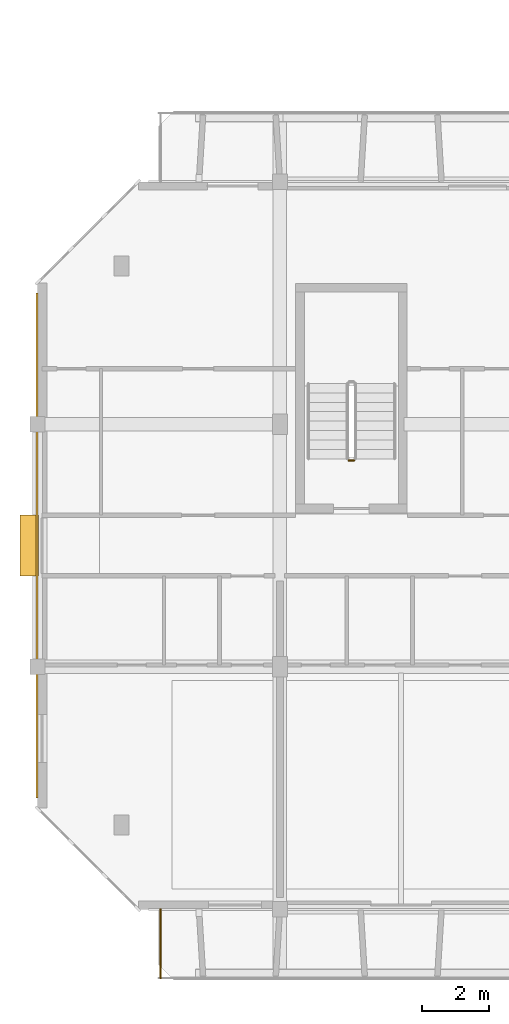
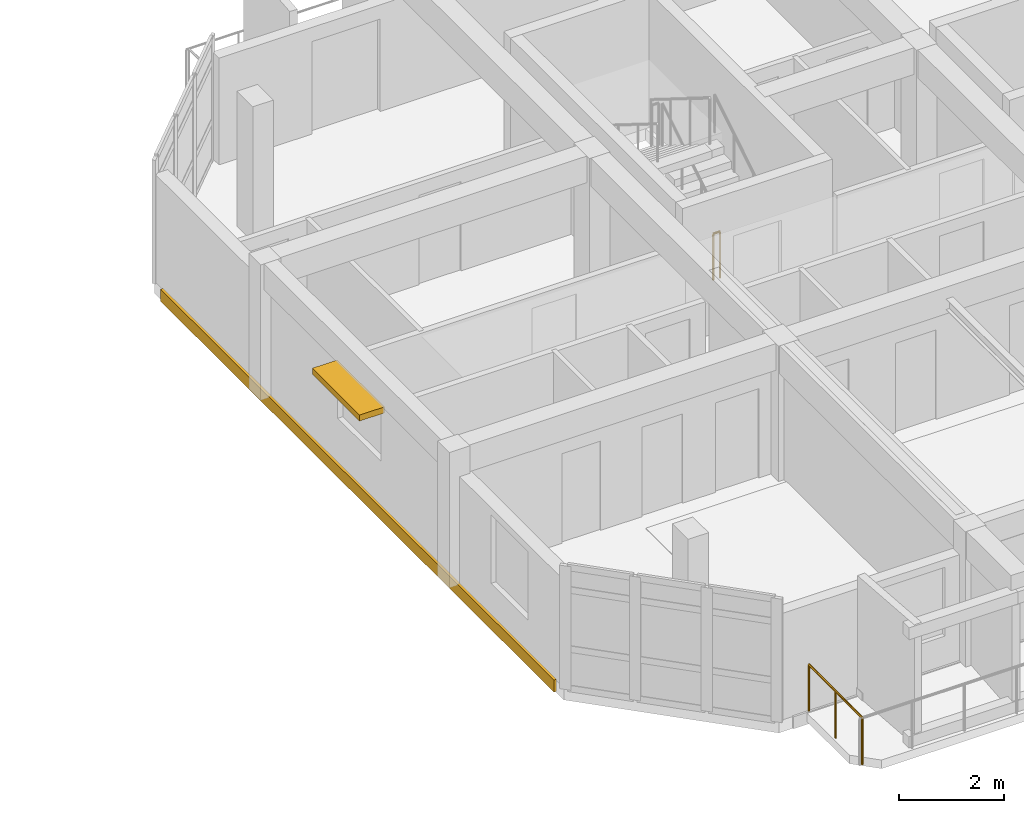
# One storey, part 17 of 22: 2 railings, 1 covering, 1 shading device.
"""IFC4 building model written with IfcOpenShell, lengths in metres."""

from ifc_helpers import new_model, si_unit, direction, frame, origin, origin_2d, place, context, subcontext, project, spatial, rectangle, circle, extrude, material, layer, layer_set, type_object, element, save


model = new_model("IFC4")

# Units and contexts
model_context = context("Model", 3, precision=1e-05, world=origin(), true_north=direction((0.0, 1.0)))
body_context = subcontext(model_context, "Body", "Model", "MODEL_VIEW")
ifc_project = project(units=[si_unit("LENGTHUNIT", "METRE"), si_unit("AREAUNIT", "SQUARE_METRE"), si_unit("VOLUMEUNIT", "CUBIC_METRE"), si_unit("PLANEANGLEUNIT", "RADIAN"), si_unit("MASSUNIT", "GRAM", prefix="KILO")], contexts=[model_context])

# Site, building, storey
site_placement = place(None, origin())
site = spatial("IfcSite", under=ifc_project, at=site_placement, CompositionType="ELEMENT")
building_placement = place(site_placement, origin())
building = spatial("IfcBuilding", under=site, at=building_placement, Name="Ochrevale Crest", CompositionType="ELEMENT")
storey_placement = place(building_placement, frame((0.0, 0.0, 40.199951171875)))
storey = spatial("IfcBuildingStorey", under=building, at=storey_placement, Name="L12", CompositionType="ELEMENT", Elevation=40.199951171875)

# Covering
ifc_material_1 = material(Name="Glazed terracotta rainscreen tile", Category="masonry")
ifc_layer = layer(ifc_material_1, 0.048095703125)
ifc_layer_set = layer_set([ifc_layer], Name="Glazed terracotta rainscreen tile")
covering_type = type_object("IfcCoveringType", Name="COV-CLAD-TER", PredefinedType="CLADDING", material=ifc_layer_set)
covering_placement = place(storey_placement, frame((129.58544921875, 25.199951171875, -0.259765625), z_axis=(0.0, 0.0, 1.0), x_axis=(0.0, -1.0, 0.0)))
element("IfcCovering", 1, at=covering_placement, inside=storey, type_object=covering_type, Name="Block C L12 terracotta slab-edge spandrel cladding", PredefinedType="CLADDING", context=body_context, shape_type="SweptSolid", body=[
    extrude(rectangle(XDim=15.0, YDim=0.06005859375, at=origin_2d()), origin(), (0.0, 0.0, 1.0), 0.280029296875),
])

# Railings
ifc_material_2 = material(Name="Galvanised steel", Category="steel")
railing_type_1 = type_object("IfcRailingType", Name="RL-BAL-1100", PredefinedType="BALUSTRADE", material=ifc_material_2)
railing_1_placement = place(storey_placement, frame((133.260009765625, 14.39990234375, 0.0)))
element("IfcRailing", 2, at=railing_1_placement, inside=storey, type_object=railing_type_1, Name="Block C L12 S-W balcony side guard", PredefinedType="BALUSTRADE", context=body_context, shape_type="SweptSolid", body=[
    extrude(circle(Radius=0.02392578125, at=origin_2d()), frame((0.0, 0.0, 1.0859375), z_axis=(0.0, -1.0, 0.0), x_axis=(1.0, 0.0, 0.0)), (0.0, 0.0, 1.0), 2.039794921875),
    extrude(circle(Radius=0.02099609375, at=origin_2d()), origin(), (0.0, 0.0, 1.0), 1.06201171875),
    extrude(circle(Radius=0.02099609375, at=origin_2d()), frame((0.0, -1.02001953125, 0.0)), (0.0, 0.0, 1.0), 1.06201171875),
    extrude(circle(Radius=0.02099609375, at=origin_2d()), frame((0.0, -2.039794921875, 0.0)), (0.0, 0.0, 1.0), 1.06201171875),
])
railing_type_2 = type_object("IfcRailingType", Name="RL-ST-GUARD", PredefinedType="BALUSTRADE", material=ifc_material_2)
railing_2_placement = place(storey_placement, frame((139.0, 27.72509765625, 0.0)))
element("IfcRailing", 3, at=railing_2_placement, inside=storey, type_object=railing_type_2, Name="L12 ST-C1 stair guard 4", PredefinedType="BALUSTRADE", context=body_context, shape_type="SweptSolid", body=[
    extrude(circle(Radius=0.02392578125, at=origin_2d()), frame((0.0, 0.0, 1.076171875), z_axis=(-1.0, 0.0, 0.0), x_axis=(0.0, -1.0, 0.0)), (0.0, 0.0, 1.0), 0.14990234375),
    extrude(circle(Radius=0.02099609375, at=origin_2d()), origin(), (0.0, 0.0, 1.0), 1.052001953125),
    extrude(circle(Radius=0.02099609375, at=origin_2d()), frame((-0.14990234375, 0.0, 0.0)), (0.0, 0.0, 1.0), 1.052001953125),
])

# Shading device
ifc_material_3 = material(Name="Anodised aluminium 6063-T5", Category="aluminium")
shading_device_type = type_object("IfcShadingDeviceType", Name="SHD-SUNSHADE-OC", PredefinedType="USERDEFINED", material=ifc_material_3)
shading_device_placement = place(storey_placement, frame((129.360107421875, 25.199951171875, 2.2099609375), z_axis=(0.0, 0.0, 1.0), x_axis=(1.0, 0.0, 0.0)))
element("IfcShadingDevice", 4, at=shading_device_placement, inside=storey, type_object=shading_device_type, Name="Block C L12 gable window sunshade W", ObjectType="HORIZONTAL SUNSHADE", PredefinedType="USERDEFINED", context=body_context, shape_type="SweptSolid", body=[
    extrude(rectangle(XDim=0.550048828125, YDim=1.800048828125, at=origin_2d()), origin(), (0.0, 0.0, 1.0), 0.139892578125),
])

save(model, "model.ifc")
